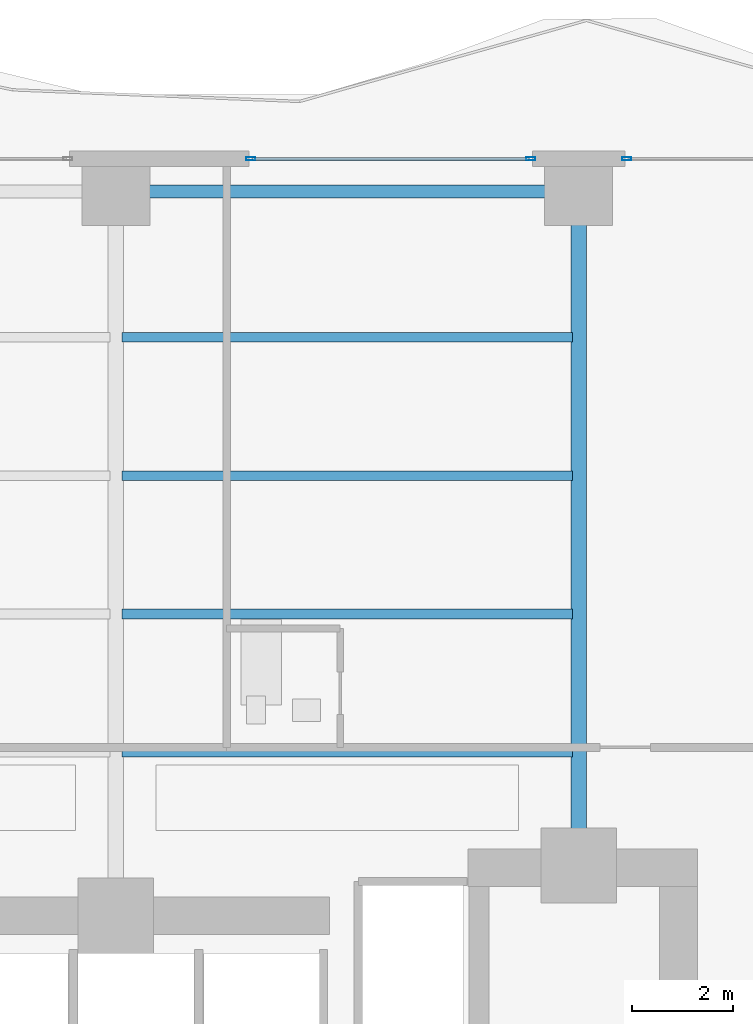
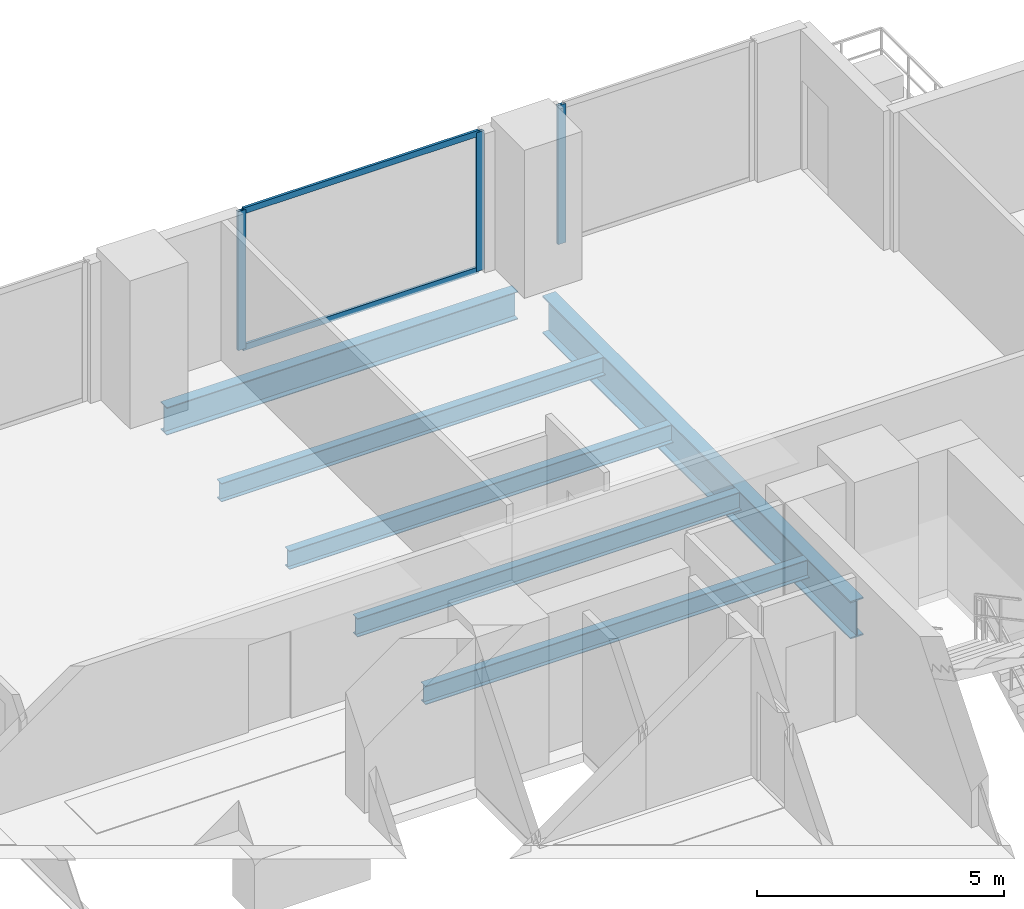
# One storey, part 18 of 28: 6 beams, 5 members, 2 elements without a shape of their own.
"""IFC4 building model written with IfcOpenShell, lengths in metres."""

from ifc_helpers import new_model, si_unit, direction, frame, origin, origin_2d, place, context, subcontext, project, spatial, hollow_rectangle, i_section, extrude, material, layer, layer_set, material_profile, profile_set, type_object, element, aggregate, save


model = new_model("IFC4")

# Units and contexts
model_context = context("Model", 3, precision=1e-05, world=origin(), true_north=direction((0.0, 1.0)))
body_context = subcontext(model_context, "Body", "Model", "MODEL_VIEW")
ifc_project = project(units=[si_unit("LENGTHUNIT", "METRE"), si_unit("AREAUNIT", "SQUARE_METRE"), si_unit("VOLUMEUNIT", "CUBIC_METRE"), si_unit("PLANEANGLEUNIT", "RADIAN"), si_unit("MASSUNIT", "GRAM", prefix="KILO")], contexts=[model_context])

# Site, building, storey
site_placement = place(None, origin())
site = spatial("IfcSite", under=ifc_project, at=site_placement, CompositionType="ELEMENT")
building_placement = place(site_placement, origin())
building = spatial("IfcBuilding", under=site, at=building_placement, Name="Zuhayl Quay Hotel", CompositionType="ELEMENT")
storey_placement = place(building_placement, frame((0.0, 0.0, 139.449951171875)))
storey = spatial("IfcBuildingStorey", under=building, at=storey_placement, Name="L35", CompositionType="ELEMENT", Elevation=139.449951171875)

# Beams
ifc_material_1 = material(Name="Steel ASTM A992 Grade 50", Category="steel")
ifc_material_profile_1 = material_profile(ifc_material_1, i_section(OverallWidth=0.25390625, OverallDepth=0.68310546875, WebThickness=0.012451171875, FlangeThickness=0.018798828125, at=origin_2d()), Name="W27X94")
ifc_profile_set_1 = profile_set([ifc_material_profile_1], Name="Steel ASTM A992 Grade 50")
beam_type_1 = type_object("IfcBeamType", Name="BM_B2_W27X94", PredefinedType="BEAM", material=ifc_profile_set_1)
beam_1_placement = place(storey_placement, frame((13.300048828125, 27.75, -0.5615234375), z_axis=(-1.0, 0.0, 0.0), x_axis=(0.0, -1.0, 0.0)))
element("IfcBeam", 1, at=beam_1_placement, inside=storey, type_object=beam_type_1, Name="L35 Floor Beam RG_L35_07", PredefinedType="BEAM", context=body_context, shape_type="SweptSolid", body=[
    extrude(i_section(OverallWidth=0.25390625, OverallDepth=0.68310546875, WebThickness=0.012451171875, FlangeThickness=0.018798828125, at=origin_2d()), origin(), (0.0, 0.0, 1.0), 8.199951171875),
])
ifc_material_profile_2 = material_profile(ifc_material_1, i_section(OverallWidth=0.18994140625, OverallDepth=0.45703125, WebThickness=0.009033203125, FlangeThickness=0.014404296875, at=origin_2d()), Name="W18X50")
ifc_profile_set_2 = profile_set([ifc_material_profile_2], Name="Steel ASTM A992 Grade 50")
beam_type_2 = type_object("IfcBeamType", Name="BM_J2_W18X50", PredefinedType="JOIST", material=ifc_profile_set_2)
for number, where, z_axis, x_axis, name in (
    (2, (4.718994140625, 16.60009765625, -0.448486328125), (1.0, 0.0, 0.0), (0.0, 1.0, 0.0), "L35 Floor Beam FJ_L35_1_3"),
    (3, (4.718994140625, 19.35009765625, -0.448486328125), (1.0, 0.0, 0.0), (0.0, 1.0, 0.0), "L35 Floor Beam FJ_L35_2_3"),
    (4, (4.718994140625, 22.10009765625, -0.448486328125), (1.0, 0.0, 0.0), (0.0, 1.0, 0.0), "L35 Floor Beam FJ_L35_3_3"),
    (5, (4.718994140625, 24.85009765625, -0.448486328125), (1.0, 0.0, 0.0), (0.0, 1.0, 0.0), "L35 Floor Beam FJ_L35_4_3"),
):
    element("IfcBeam", number, at=place(storey_placement, frame(where, z_axis=z_axis, x_axis=x_axis)), inside=storey, type_object=beam_type_2, Name=name, PredefinedType="JOIST", context=body_context, shape_type="SweptSolid", body=[
        extrude(i_section(OverallWidth=0.18994140625, OverallDepth=0.45703125, WebThickness=0.009033203125, FlangeThickness=0.014404296875, at=origin_2d()), origin(), (0.0, 0.0, 1.0), 8.9619140625),
    ])
ifc_material_profile_3 = material_profile(ifc_material_1, i_section(OverallWidth=0.306884765625, OverallDepth=0.927001953125, WebThickness=0.019287109375, FlangeThickness=0.031982421875, at=origin_2d()), Name="W36X194")
ifc_profile_set_3 = profile_set([ifc_material_profile_3], Name="Steel ASTM A992 Grade 50")
beam_type_3 = type_object("IfcBeamType", Name="BM_PG2_W36X194", PredefinedType="BEAM", material=ifc_profile_set_3)
beam_2_placement = place(storey_placement, frame((13.800048828125, 14.800048828125, -0.683349609375), z_axis=(0.0, 1.0, 0.0), x_axis=(-1.0, 0.0, 0.0)))
element("IfcBeam", 6, at=beam_2_placement, inside=storey, type_object=beam_type_3, Name="L35 Floor Beam FG_N_L35_4", PredefinedType="BEAM", context=body_context, shape_type="SweptSolid", body=[
    extrude(i_section(OverallWidth=0.306884765625, OverallDepth=0.927001953125, WebThickness=0.019287109375, FlangeThickness=0.031982421875, at=origin_2d()), origin(), (0.0, 0.0, 1.0), 12.449951171875),
])

# Curtain wall, members
ifc_material_2 = material(Name="Anodised Aluminium 6063-T6", Category="aluminium")
ifc_layer = layer(ifc_material_2, 0.179931640625, Name="Anodised Aluminium 6063-T6", Category="aluminium")
ifc_layer_set = layer_set([ifc_layer], Name="Anodised Aluminium 6063-T6")
curtain_wall_type = type_object("IfcCurtainWallType", Name="CW_SYS_Z2", PredefinedType="USERDEFINED", material=ifc_layer_set)
curtain_wall_1_placement = place(storey_placement, origin())
curtain_wall_1 = element("IfcCurtainWall", 7, at=curtain_wall_1_placement, inside=storey, type_object=curtain_wall_type, Name="L35 Curtain Wall ENV_L35_N_CW5", ObjectType="UNITISED CURTAIN WALL", PredefinedType="USERDEFINED")
ifc_material_3 = material(Name="Black-anodised aluminium 6063-T6", Category="aluminium")
ifc_material_profile_4 = material_profile(ifc_material_3, hollow_rectangle(XDim=0.06494140625, YDim=0.179931640625, WallThickness=0.00341796875, at=origin_2d()), Name="ALU180X65")
ifc_profile_set_4 = profile_set([ifc_material_profile_4], Name="Black-anodised aluminium 6063-T6")
member_type_1 = type_object("IfcMemberType", Name="MB_CW_MUL_180", PredefinedType="MULLION", material=ifc_profile_set_4)
member_1_placement = place(storey_placement, frame((7.282470703125, 28.39990234375, 0.0), z_axis=(0.0, 0.0, 1.0), x_axis=(0.0, 1.0, 0.0)))
member_1 = element("IfcMember", 8, at=member_1_placement, type_object=member_type_1, Name="CW-Z2 mullion 1", PredefinedType="MULLION", context=body_context, shape_type="SweptSolid", body=[
    extrude(hollow_rectangle(XDim=0.06494140625, YDim=0.179931640625, WallThickness=0.00341796875, at=origin_2d()), origin(), (0.0, 0.0, 1.0), 3.429931640625),
])
member_2_placement = place(storey_placement, frame((12.847412109375, 28.39990234375, 0.0), z_axis=(0.0, 0.0, 1.0), x_axis=(0.0, 1.0, 0.0)))
member_2 = element("IfcMember", 9, at=member_2_placement, type_object=member_type_1, Name="CW-Z2 mullion 2", PredefinedType="MULLION", context=body_context, shape_type="SweptSolid", body=[
    extrude(hollow_rectangle(XDim=0.06494140625, YDim=0.179931640625, WallThickness=0.00341796875, at=origin_2d()), origin(), (0.0, 0.0, 1.0), 3.429931640625),
])

# Curtain wall, member
curtain_wall_2_placement = place(storey_placement, origin())
curtain_wall_2 = element("IfcCurtainWall", 10, at=curtain_wall_2_placement, inside=storey, type_object=curtain_wall_type, Name="L35 Curtain Wall ENV_L35_N_CW6", ObjectType="UNITISED CURTAIN WALL", PredefinedType="USERDEFINED")
member_3_placement = place(storey_placement, frame((14.75244140625, 28.39990234375, 0.0), z_axis=(0.0, 0.0, 1.0), x_axis=(0.0, 1.0, 0.0)))
member_3 = element("IfcMember", 11, at=member_3_placement, type_object=member_type_1, Name="CW-Z2 mullion 1", PredefinedType="MULLION", context=body_context, shape_type="SweptSolid", body=[
    extrude(hollow_rectangle(XDim=0.06494140625, YDim=0.179931640625, WallThickness=0.00341796875, at=origin_2d()), origin(), (0.0, 0.0, 1.0), 3.429931640625),
])
aggregate(curtain_wall_2, [member_3])

# Member
ifc_material_profile_5 = material_profile(ifc_material_3, hollow_rectangle(XDim=0.06005859375, YDim=0.14990234375, WallThickness=0.00341796875, at=origin_2d()), Name="ALU150X60")
ifc_profile_set_5 = profile_set([ifc_material_profile_5], Name="Black-anodised aluminium 6063-T6")
member_type_2 = type_object("IfcMemberType", Name="MB_CW_TRN_150", PredefinedType="USERDEFINED", material=ifc_profile_set_5)
member_4_placement = place(storey_placement, frame((7.31494140625, 28.39990234375, 0.030029296875), z_axis=(1.0, 0.0, 0.0), x_axis=(0.0, 1.0, 0.0)))
member_4 = element("IfcMember", 12, at=member_4_placement, type_object=member_type_2, Name="CW-Z2 transom 1.1", ObjectType="TRANSOM", PredefinedType="USERDEFINED", context=body_context, shape_type="SweptSolid", body=[
    extrude(hollow_rectangle(XDim=0.06005859375, YDim=0.14990234375, WallThickness=0.00341796875, at=origin_2d()), origin(), (0.0, 0.0, 1.0), 5.5),
])

member_5_placement = place(storey_placement, frame((7.31494140625, 28.39990234375, 3.400146484375), z_axis=(1.0, 0.0, 0.0), x_axis=(0.0, 1.0, 0.0)))
member_5 = element("IfcMember", 13, at=member_5_placement, type_object=member_type_2, Name="CW-Z2 transom 1.2", ObjectType="TRANSOM", PredefinedType="USERDEFINED", context=body_context, shape_type="SweptSolid", body=[
    extrude(hollow_rectangle(XDim=0.06005859375, YDim=0.14990234375, WallThickness=0.00341796875, at=origin_2d()), origin(), (0.0, 0.0, 1.0), 5.5),
])

aggregate(curtain_wall_1, [member_1, member_2, member_4, member_5])

save(model, "model.ifc")
